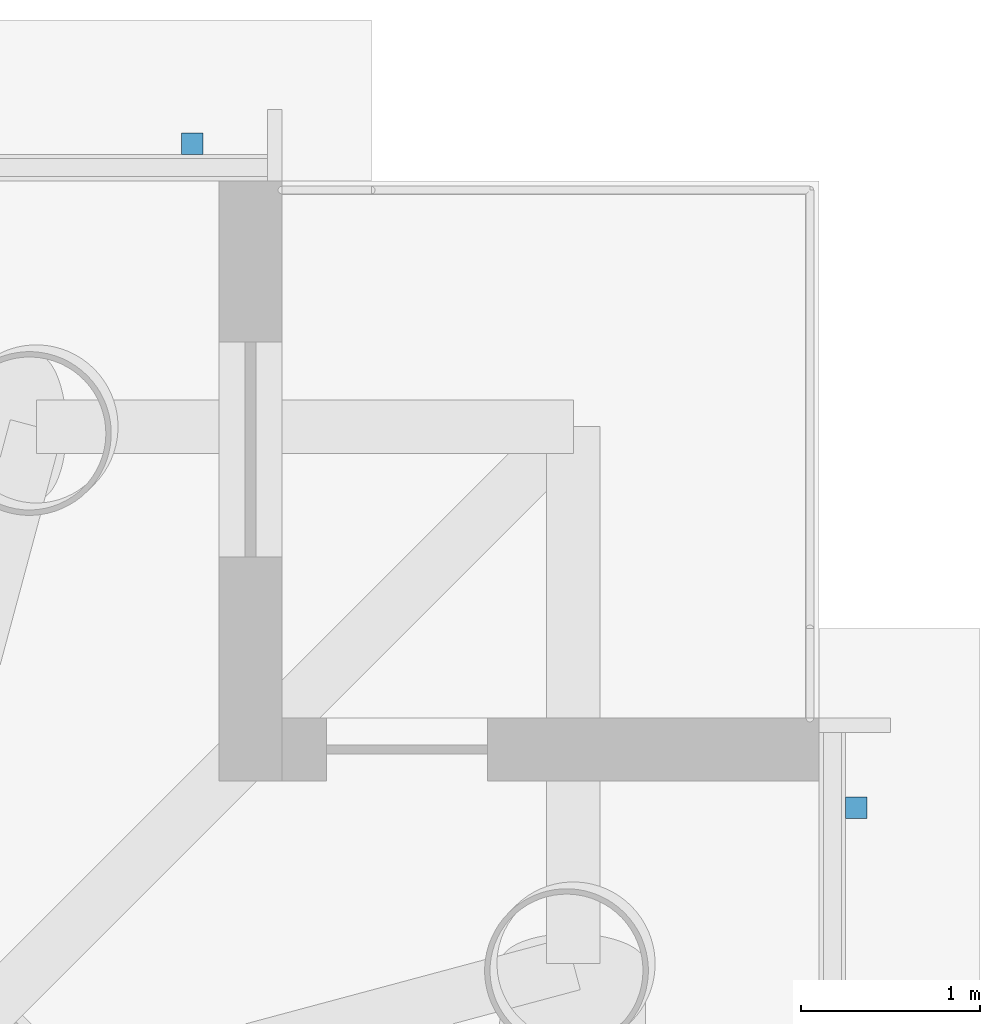
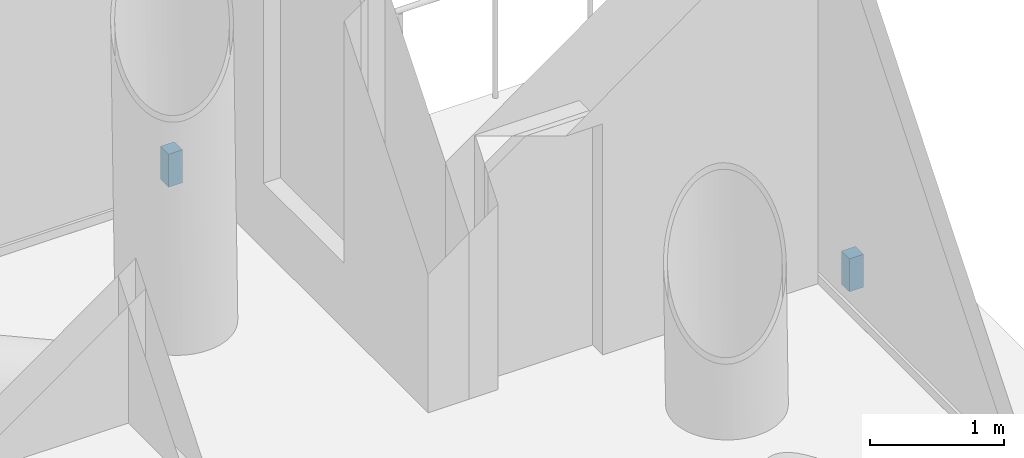
# One storey, part 11 of 13: 2 discrete accessories.
"""IFC4 building model written with IfcOpenShell, lengths in metres."""

import ifcopenshell
import ifcopenshell.guid

model = None  # the IFC model being written
_history = None  # IfcOwnerHistory: only IFC2X3 demands one
_inside = {}  # id of a spatial element -> (the spatial element, [elements in it])
_under = {}  # id of a project, library or spatial element -> (it, [spatial elements below it])
_declared = {}  # id of a project -> (the project, [libraries it declares])
_typed = {}  # id of a type object -> (the type object, [elements of that type])
_made_of = {}  # id of a material, layer set ... -> (it, [elements and type objects made of it])


def new_model(schema):
    """Start an empty IFC model of exactly this schema.

    Asked for "IFC4X3", IfcOpenShell would pick the latest addendum, in which some entities
    have other attributes; the version numbers below select the first issue.
    IFC2X3 requires an IfcOwnerHistory on every rooted entity: one is made here for all.
    """
    global model, _history
    if schema == "IFC4X3":
        model = ifcopenshell.file(schema_version=(4, 3, 0, 0))
    else:
        model = ifcopenshell.file(schema=schema)
    _inside.clear()
    _under.clear()
    _declared.clear()
    _typed.clear()
    _made_of.clear()
    _history = None
    if model.schema == "IFC2X3":
        org = make("IfcOrganization", Name="unknown")
        user = make(
            "IfcPersonAndOrganization",
            ThePerson=make("IfcPerson", FamilyName="unknown"),
            TheOrganization=org,
        )
        app = make(
            "IfcApplication",
            ApplicationDeveloper=org,
            Version="unknown",
            ApplicationFullName="unknown",
            ApplicationIdentifier="unknown",
        )
        _history = make(
            "IfcOwnerHistory",
            OwningUser=user,
            OwningApplication=app,
            ChangeAction="ADDED",
            CreationDate=0,
        )
    return model


def make(cls, **values):
    """One entity of the class cls with the attributes given. An attribute that is None is left unset."""
    return model.create_entity(
        cls, **{name: value for name, value in values.items() if value is not None}
    )


def rooted(cls, **values):
    """An entity with a GlobalId (a new one), such as an element, a storey or a relation."""
    return make(cls, GlobalId=ifcopenshell.guid.new(), OwnerHistory=_history, **values)


def si_unit(unit_type, name, prefix=None):
    """IfcSIUnit, for example si_unit("LENGTHUNIT", "METRE", prefix="MILLI")."""
    return make("IfcSIUnit", UnitType=unit_type, Prefix=prefix, Name=name)


def assignment(units):
    """IfcUnitAssignment: the units of a project."""
    return None if units is None else make("IfcUnitAssignment", Units=units)


def point(xyz):
    """IfcCartesianPoint."""
    return None if xyz is None else make("IfcCartesianPoint", Coordinates=xyz)


def direction(xyz):
    """IfcDirection."""
    return None if xyz is None else make("IfcDirection", DirectionRatios=xyz)


def frame(location, z_axis=None, x_axis=None):
    """IfcAxis2Placement3D, a coordinate frame: its origin and axes. An axis left out is left unset."""
    return make(
        "IfcAxis2Placement3D",
        Location=point(location),
        Axis=direction(z_axis),
        RefDirection=direction(x_axis),
    )


def frame_2d(location, x_axis=None):
    """IfcAxis2Placement2D, a coordinate frame in the plane: its origin and x axis."""
    return make(
        "IfcAxis2Placement2D", Location=point(location), RefDirection=direction(x_axis)
    )


def origin():
    """The frame at (0, 0, 0) with its axes left unset."""
    return frame((0.0, 0.0, 0.0))


def origin_2d():
    """The frame at (0, 0) in the plane with its x axis left unset."""
    return frame_2d((0.0, 0.0))


def place(relative_to, where):
    """IfcLocalPlacement: puts the frame where relative to a parent placement (None: the world)."""
    return make(
        "IfcLocalPlacement", PlacementRelTo=relative_to, RelativePlacement=where
    )


def context(
    kind, dimensions, precision=None, world=None, true_north=None, identifier=None
):
    """IfcGeometricRepresentationContext, for example the 3D "Model" context."""
    return make(
        "IfcGeometricRepresentationContext",
        ContextIdentifier=identifier,
        ContextType=kind,
        CoordinateSpaceDimension=dimensions,
        Precision=precision,
        WorldCoordinateSystem=world,
        TrueNorth=true_north,
    )


def subcontext(parent, identifier, kind, view, scale=None):
    """IfcGeometricRepresentationSubContext, for example "Body" below "Model"."""
    return make(
        "IfcGeometricRepresentationSubContext",
        ContextIdentifier=identifier,
        ContextType=kind,
        ParentContext=parent,
        TargetScale=scale,
        TargetView=view,
    )


def project(units=None, contexts=None):
    """IfcProject with its units and contexts."""
    return rooted(
        "IfcProject",
        Name="project",
        RepresentationContexts=contexts,
        UnitsInContext=assignment(units),
    )


def spatial(cls, under=None, at=None, **own):
    """A site, building, storey or space (cls), placed at a placement, below another one or the project."""
    s = rooted(cls, ObjectPlacement=at, **own)
    if under is not None:
        _under.setdefault(under.id(), (under, []))[1].append(s)
    return s


def profile(cls, at=None, kind="AREA", **sizes):
    """A parametric profile (cls). Its sizes go by their IFC names, for example OverallWidth=200.0."""
    return make(cls, ProfileType=kind, Position=at, **sizes)


def rectangle(**sizes):
    """IfcRectangleProfileDef."""
    return profile("IfcRectangleProfileDef", **sizes)


def extrude(swept, where, along, depth):
    """IfcExtrudedAreaSolid: the profile swept, set in the frame where, extruded along a direction by depth."""
    return make(
        "IfcExtrudedAreaSolid",
        SweptArea=swept,
        Position=where,
        ExtrudedDirection=direction(along),
        Depth=depth,
    )


def shape(context_of_items, identifier, shape_type, items):
    """IfcShapeRepresentation: the items that make up one representation, for example the "Body"."""
    return make(
        "IfcShapeRepresentation",
        ContextOfItems=context_of_items,
        RepresentationIdentifier=identifier,
        RepresentationType=shape_type,
        Items=items,
    )


def material(Name=None, Category=None):
    """IfcMaterial."""
    return make("IfcMaterial", Name=Name, Category=Category)


def made_of(thing, what):
    """Note that an element or type object is made of a material, layer set ...; save() writes the relation."""
    if what is not None:
        _made_of.setdefault(what.id(), (what, []))[1].append(thing)
    return thing


def type_object(cls, material=None, **own):
    """A type object (cls), such as IfcWallType, which elements share."""
    return made_of(rooted(cls, **own), material)


def element(
    cls,
    number,
    at=None,
    inside=None,
    cuts=None,
    type_object=None,
    material=None,
    context=None,
    identifier="Body",
    shape_type=None,
    held_by="IfcProductDefinitionShape",
    body=None,
    shapes=None,
    **own,
):
    """One element of the class cls, such as IfcWall. Its Tag is "e" and its number.

    at: its placement. inside: the storey or other place that contains it. cuts: it is an
    opening in that element (IfcRelVoidsElement). A single representation is given by context,
    identifier, shape_type and body (its items); several are given by shapes. held_by: the class
    of the entity that holds the representations. save() writes the other relations.
    """
    e = rooted(cls, Tag="e%d" % number, ObjectPlacement=at, **own)
    if body is not None:
        shapes = [shape(context, identifier, shape_type, body)]
    if shapes is not None:
        e.Representation = make(held_by, Representations=shapes)
    if inside is not None:
        _inside.setdefault(inside.id(), (inside, []))[1].append(e)
    if cuts is not None:
        rooted(
            "IfcRelVoidsElement", RelatingBuildingElement=cuts, RelatedOpeningElement=e
        )
    if type_object is not None:
        _typed.setdefault(type_object.id(), (type_object, []))[1].append(e)
    return made_of(e, material)


def aggregate(whole, parts):
    """IfcRelAggregates: a whole, such as a stair, and the parts it consists of."""
    return rooted("IfcRelAggregates", RelatingObject=whole, RelatedObjects=parts)


def save(model, path):
    """Write the relations noted so far, then the file.

    IfcRelAggregates (storeys below a building ...), IfcRelContainedInSpatialStructure (elements
    in a storey), IfcRelDefinesByType, IfcRelAssociatesMaterial and IfcRelDeclares: one each for
    every whole, place, type object, material and project.
    """
    for whole, parts in _under.values():
        aggregate(whole, parts)
    for where, things in _inside.values():
        rooted(
            "IfcRelContainedInSpatialStructure",
            RelatedElements=things,
            RelatingStructure=where,
        )
    for kind, things in _typed.values():
        rooted("IfcRelDefinesByType", RelatedObjects=things, RelatingType=kind)
    for what, things in _made_of.values():
        rooted("IfcRelAssociatesMaterial", RelatedObjects=things, RelatingMaterial=what)
    for by, libraries in _declared.values():
        rooted("IfcRelDeclares", RelatingContext=by, RelatedDefinitions=libraries)
    model.write(path)


model = new_model("IFC4")

# Units and contexts
model_context = context("Model", 3, precision=1e-05, world=origin(), true_north=direction((0.0, 1.0)))
body_context = subcontext(model_context, "Body", "Model", "MODEL_VIEW")
ifc_project = project(units=[si_unit("LENGTHUNIT", "METRE"), si_unit("AREAUNIT", "SQUARE_METRE"), si_unit("VOLUMEUNIT", "CUBIC_METRE"), si_unit("PLANEANGLEUNIT", "RADIAN"), si_unit("MASSUNIT", "GRAM", prefix="KILO")], contexts=[model_context])

# Site, building, storey
site_placement = place(None, origin())
site = spatial("IfcSite", under=ifc_project, at=site_placement, CompositionType="ELEMENT")
building_placement = place(site_placement, origin())
building = spatial("IfcBuilding", under=site, at=building_placement, Name="Ostroluk Exchange", CompositionType="ELEMENT")
storey_placement = place(building_placement, frame((0.0, 0.0, 157.800048828125)))
storey = spatial("IfcBuildingStorey", under=building, at=storey_placement, Name="L40", CompositionType="ELEMENT", Elevation=157.800048828125)

# Discrete accessories
ifc_material = material(Name="Stainless steel", Category="steel")
discrete_accessory_type = type_object("IfcDiscreteAccessoryType", Name="Fall-arrest anchor PN-EN 795 type C", PredefinedType="USERDEFINED", material=ifc_material)
for number, where, z_axis, x_axis, name in (
    (1, (66.2099609375, 63.5, 0.0), (0.0, 0.0, 1.0), (1.0, 0.0, 0.0), "Fall-arrest anchor L40 east 5"),
    (2, (62.5, 67.2099609375, 0.0), (0.0, 0.0, 1.0), (1.0, 0.0, 0.0), "Fall-arrest anchor L40 north 5"),
):
    element("IfcDiscreteAccessory", number, at=place(storey_placement, frame(where, z_axis=z_axis, x_axis=x_axis)), inside=storey, type_object=discrete_accessory_type, Name=name, ObjectType="FALL ARREST ANCHOR", PredefinedType="USERDEFINED", context=body_context, shape_type="SweptSolid", body=[
        extrude(rectangle(XDim=0.1201171875, YDim=0.1201171875, at=origin_2d()), origin(), (0.0, 0.0, 1.0), 0.300048828125),
    ])

save(model, "model.ifc")
